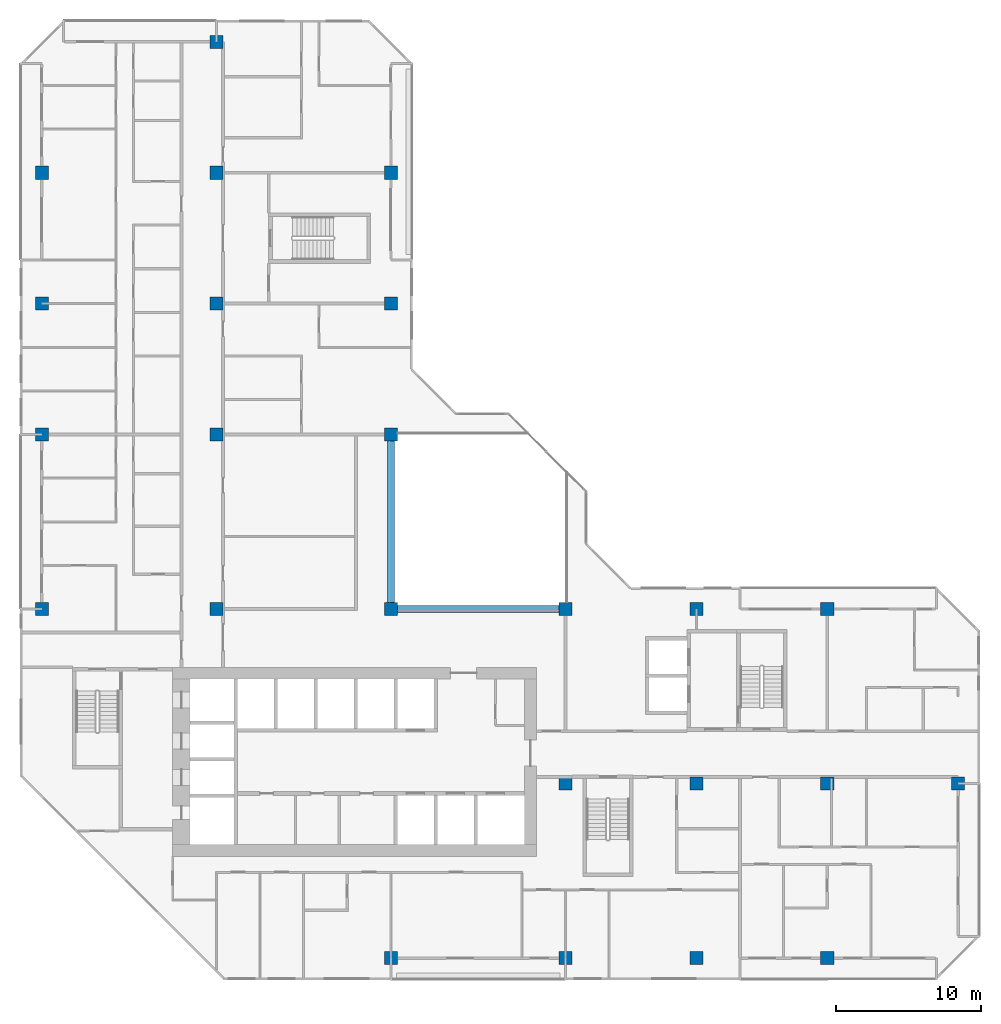
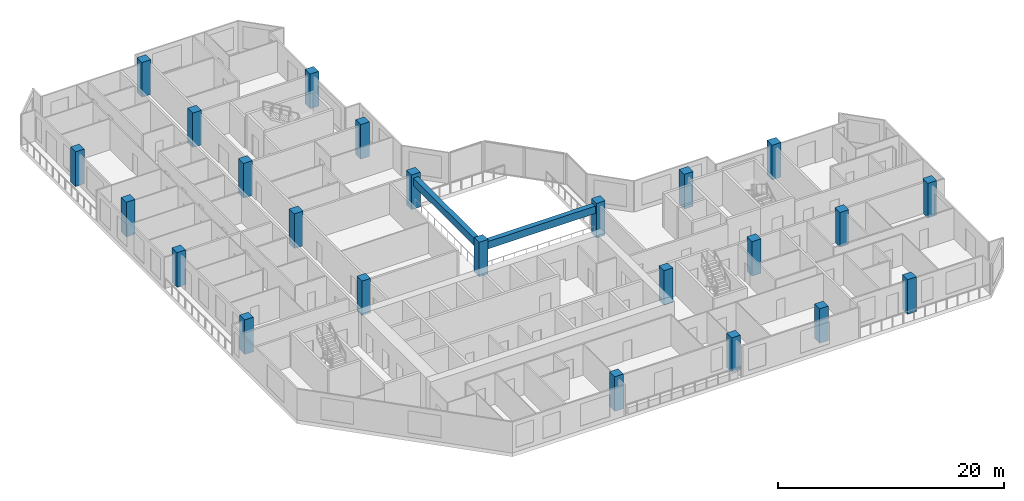
# One storey, part 1 of 15: 24 columns, 2 beams.
"""IFC4 building model written with IfcOpenShell, lengths in metres."""

from ifc_helpers import new_model, si_unit, direction, frame, origin, origin_2d, place, context, subcontext, project, spatial, rectangle, extrude, material, material_profile, profile_set, type_object, element, save


model = new_model("IFC4")

# Units and contexts
model_context = context("Model", 3, precision=1e-05, world=origin(), true_north=direction((0.0, 1.0)))
body_context = subcontext(model_context, "Body", "Model", "MODEL_VIEW")
ifc_project = project(units=[si_unit("LENGTHUNIT", "METRE"), si_unit("AREAUNIT", "SQUARE_METRE"), si_unit("VOLUMEUNIT", "CUBIC_METRE"), si_unit("PLANEANGLEUNIT", "RADIAN"), si_unit("MASSUNIT", "GRAM", prefix="KILO")], contexts=[model_context])

# Site, building, storey
site_placement = place(None, origin())
site = spatial("IfcSite", under=ifc_project, at=site_placement, CompositionType="ELEMENT")
building_placement = place(site_placement, origin())
building = spatial("IfcBuilding", under=site, at=building_placement, Name="Chenar Terraces", CompositionType="ELEMENT")
storey_placement = place(building_placement, frame((0.0, 0.0, 176.14990234375)))
storey = spatial("IfcBuildingStorey", under=building, at=storey_placement, Name="L40", CompositionType="ELEMENT", Elevation=176.14990234375)

# Columns
ifc_material_1 = material(Name="Concrete C60/75", Category="concrete")
ifc_material_profile_1 = material_profile(ifc_material_1, rectangle(XDim=0.89990234375, YDim=0.89990234375, at=origin_2d()), Name="C 900 x 900")
ifc_profile_set_1 = profile_set([ifc_material_profile_1], Name="Concrete C60/75")
column_type = type_object("IfcColumnType", Name="Column C 900 x 900 Concrete C60/75", PredefinedType="COLUMN", material=ifc_profile_set_1)
column_1_placement = place(storey_placement, frame((0.0, 24.0, 0.0), z_axis=(0.0, 0.0, 1.0), x_axis=(1.0, 0.0, 0.0)))
element("IfcColumn", 1, at=column_1_placement, inside=storey, type_object=column_type, Name="Column 5/G L40", PredefinedType="COLUMN", context=body_context, shape_type="SweptSolid", body=[
    extrude(rectangle(XDim=0.89990234375, YDim=0.89990234375, at=origin_2d()), origin(), (0.0, 0.0, 1.0), 3.75),
])
column_2_placement = place(storey_placement, frame((0.0, 36.0, 0.0), z_axis=(0.0, 0.0, 1.0), x_axis=(1.0, 0.0, 0.0)))
element("IfcColumn", 2, at=column_2_placement, inside=storey, type_object=column_type, Name="Column 5/H L40", PredefinedType="COLUMN", context=body_context, shape_type="SweptSolid", body=[
    extrude(rectangle(XDim=0.89990234375, YDim=0.89990234375, at=origin_2d()), origin(), (0.0, 0.0, 1.0), 3.75),
])
column_3_placement = place(storey_placement, frame((0.0, 45.0, 0.0), z_axis=(0.0, 0.0, 1.0), x_axis=(1.0, 0.0, 0.0)))
element("IfcColumn", 3, at=column_3_placement, inside=storey, type_object=column_type, Name="Column 5/J L40", PredefinedType="COLUMN", context=body_context, shape_type="SweptSolid", body=[
    extrude(rectangle(XDim=0.89990234375, YDim=0.89990234375, at=origin_2d()), origin(), (0.0, 0.0, 1.0), 3.75),
])
for number, where, z_axis, x_axis, name in (
    (4, (0.0, 54.0, 0.0), (0.0, 0.0, 1.0), (1.0, 0.0, 0.0), "Column 5/K L40"),
    (5, (12.0, 24.0, 0.0), (0.0, 0.0, 1.0), (1.0, 0.0, 0.0), "Column 6/G L40"),
    (6, (12.0, 36.0, 0.0), (0.0, 0.0, 1.0), (1.0, 0.0, 0.0), "Column 6/H L40"),
    (7, (12.0, 45.0, 0.0), (0.0, 0.0, 1.0), (1.0, 0.0, 0.0), "Column 6/J L40"),
    (8, (12.0, 54.0, 0.0), (0.0, 0.0, 1.0), (1.0, 0.0, 0.0), "Column 6/K L40"),
    (9, (12.0, 63.0, 0.0), (0.0, 0.0, 1.0), (1.0, 0.0, 0.0), "Column 6/L L40"),
    (10, (24.0, 0.0, 0.0), (0.0, 0.0, 1.0), (1.0, 0.0, 0.0), "Column 7/E L40"),
    (11, (24.0, 24.0, 0.0), (0.0, 0.0, 1.0), (1.0, 0.0, 0.0), "Column 7/G L40"),
    (12, (24.0, 36.0, 0.0), (0.0, 0.0, 1.0), (1.0, 0.0, 0.0), "Column 7/H L40"),
    (13, (24.0, 45.0, 0.0), (0.0, 0.0, 1.0), (1.0, 0.0, 0.0), "Column 7/J L40"),
    (14, (24.0, 54.0, 0.0), (0.0, 0.0, 1.0), (1.0, 0.0, 0.0), "Column 7/K L40"),
    (15, (36.0, 0.0, 0.0), (0.0, 0.0, 1.0), (1.0, 0.0, 0.0), "Column 8/E L40"),
    (16, (36.0, 12.0, 0.0), (0.0, 0.0, 1.0), (1.0, 0.0, 0.0), "Column 8/F L40"),
    (17, (36.0, 24.0, 0.0), (0.0, 0.0, 1.0), (1.0, 0.0, 0.0), "Column 8/G L40"),
    (18, (45.0, 0.0, 0.0), (0.0, 0.0, 1.0), (1.0, 0.0, 0.0), "Column 9/E L40"),
    (19, (45.0, 12.0, 0.0), (0.0, 0.0, 1.0), (1.0, 0.0, 0.0), "Column 9/F L40"),
    (20, (45.0, 24.0, 0.0), (0.0, 0.0, 1.0), (1.0, 0.0, 0.0), "Column 9/G L40"),
    (21, (54.0, 0.0, 0.0), (0.0, 0.0, 1.0), (1.0, 0.0, 0.0), "Column 10/E L40"),
    (22, (54.0, 12.0, 0.0), (0.0, 0.0, 1.0), (1.0, 0.0, 0.0), "Column 10/F L40"),
    (23, (54.0, 24.0, 0.0), (0.0, 0.0, 1.0), (1.0, 0.0, 0.0), "Column 10/G L40"),
    (24, (63.0, 12.0, 0.0), (0.0, 0.0, 1.0), (1.0, 0.0, 0.0), "Column 11/F L40"),
):
    element("IfcColumn", number, at=place(storey_placement, frame(where, z_axis=z_axis, x_axis=x_axis)), inside=storey, type_object=column_type, Name=name, PredefinedType="COLUMN", context=body_context, shape_type="SweptSolid", body=[
        extrude(rectangle(XDim=0.89990234375, YDim=0.89990234375, at=origin_2d()), origin(), (0.0, 0.0, 1.0), 3.75),
    ])

# Beams
ifc_material_2 = material(Name="Concrete C40/50", Category="concrete")
ifc_material_profile_2 = material_profile(ifc_material_2, rectangle(XDim=0.5, YDim=0.800048828125, at=origin_2d()), Name="RC 500 x 800")
ifc_profile_set_2 = profile_set([ifc_material_profile_2], Name="Concrete C40/50")
beam_type = type_object("IfcBeamType", Name="Atrium edge beam 500 x 800 Concrete C40/50", PredefinedType="BEAM", material=ifc_profile_set_2)
for number, where, z_axis, x_axis, name in (
    (25, (24.449951171875, 24.0, 2.9501953125), (1.0, 0.0, 0.0), (0.0, 1.0, 0.0), "Atrium edge beam L41 1"),
    (26, (24.0, 35.550048828125, 2.9501953125), (0.0, -1.0, 0.0), (1.0, 0.0, 0.0), "Atrium edge beam L41 4"),
):
    element("IfcBeam", number, at=place(storey_placement, frame(where, z_axis=z_axis, x_axis=x_axis)), inside=storey, type_object=beam_type, Name=name, PredefinedType="BEAM", context=body_context, shape_type="SweptSolid", body=[
        extrude(rectangle(XDim=0.5, YDim=0.800048828125, at=origin_2d()), origin(), (0.0, 0.0, 1.0), 11.10009765625),
    ])

save(model, "model.ifc")
